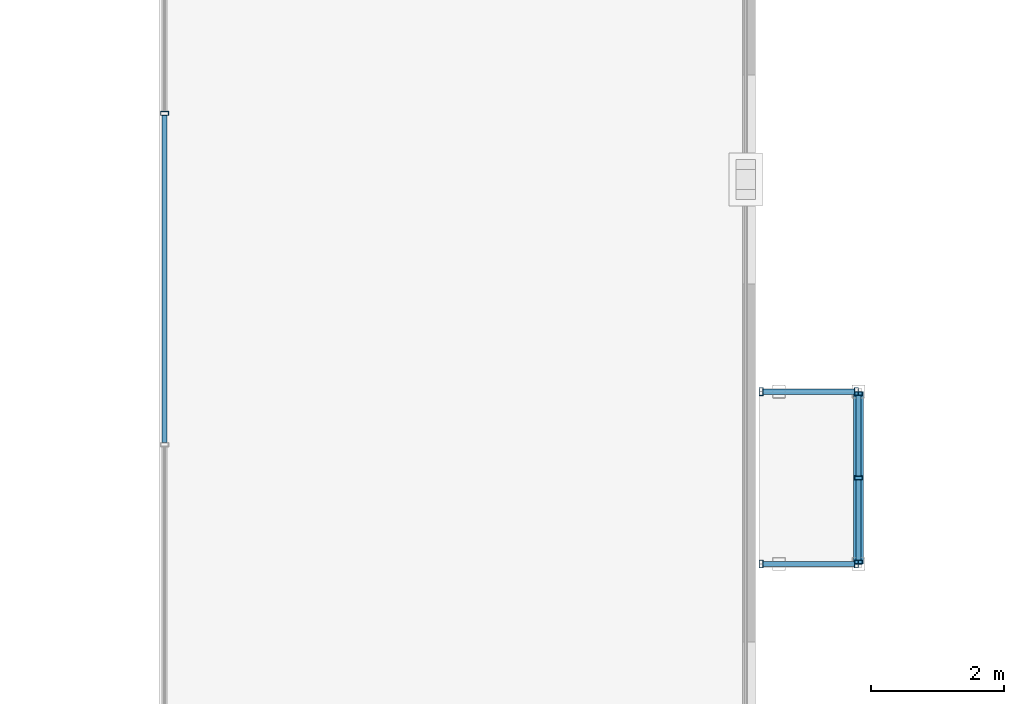
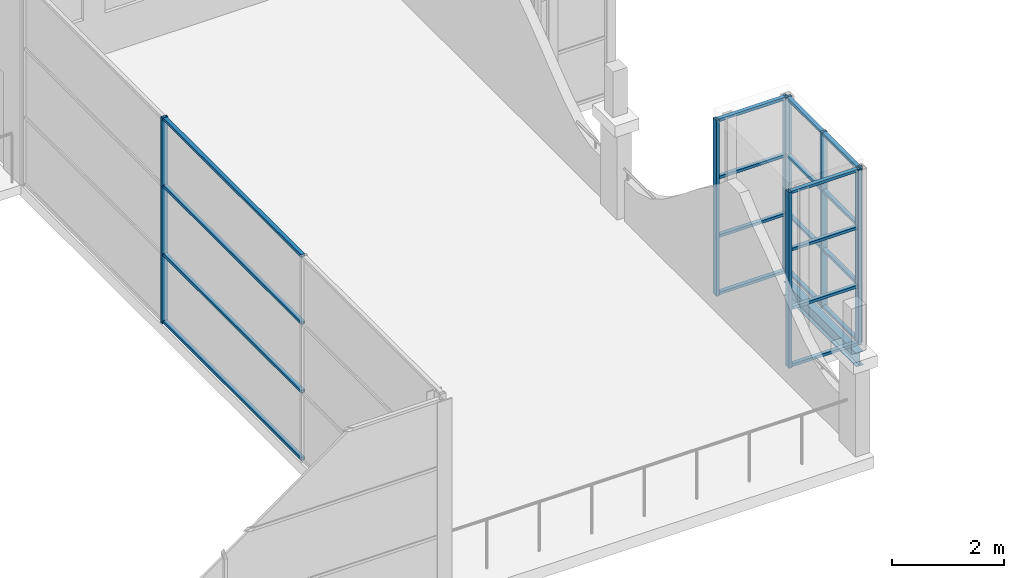
# One storey, part 26 of 111: 28 members, 1 beam, 4 elements without a shape of their own.
"""IFC4 building model written with IfcOpenShell, lengths in metres."""

import ifcopenshell
import ifcopenshell.guid

model = None  # the IFC model being written
_history = None  # IfcOwnerHistory: only IFC2X3 demands one
_inside = {}  # id of a spatial element -> (the spatial element, [elements in it])
_under = {}  # id of a project, library or spatial element -> (it, [spatial elements below it])
_declared = {}  # id of a project -> (the project, [libraries it declares])
_typed = {}  # id of a type object -> (the type object, [elements of that type])
_made_of = {}  # id of a material, layer set ... -> (it, [elements and type objects made of it])


def new_model(schema):
    """Start an empty IFC model of exactly this schema.

    Asked for "IFC4X3", IfcOpenShell would pick the latest addendum, in which some entities
    have other attributes; the version numbers below select the first issue.
    IFC2X3 requires an IfcOwnerHistory on every rooted entity: one is made here for all.
    """
    global model, _history
    if schema == "IFC4X3":
        model = ifcopenshell.file(schema_version=(4, 3, 0, 0))
    else:
        model = ifcopenshell.file(schema=schema)
    _inside.clear()
    _under.clear()
    _declared.clear()
    _typed.clear()
    _made_of.clear()
    _history = None
    if model.schema == "IFC2X3":
        org = make("IfcOrganization", Name="unknown")
        user = make(
            "IfcPersonAndOrganization",
            ThePerson=make("IfcPerson", FamilyName="unknown"),
            TheOrganization=org,
        )
        app = make(
            "IfcApplication",
            ApplicationDeveloper=org,
            Version="unknown",
            ApplicationFullName="unknown",
            ApplicationIdentifier="unknown",
        )
        _history = make(
            "IfcOwnerHistory",
            OwningUser=user,
            OwningApplication=app,
            ChangeAction="ADDED",
            CreationDate=0,
        )
    return model


def make(cls, **values):
    """One entity of the class cls with the attributes given. An attribute that is None is left unset."""
    return model.create_entity(
        cls, **{name: value for name, value in values.items() if value is not None}
    )


def rooted(cls, **values):
    """An entity with a GlobalId (a new one), such as an element, a storey or a relation."""
    return make(cls, GlobalId=ifcopenshell.guid.new(), OwnerHistory=_history, **values)


def si_unit(unit_type, name, prefix=None):
    """IfcSIUnit, for example si_unit("LENGTHUNIT", "METRE", prefix="MILLI")."""
    return make("IfcSIUnit", UnitType=unit_type, Prefix=prefix, Name=name)


def assignment(units):
    """IfcUnitAssignment: the units of a project."""
    return None if units is None else make("IfcUnitAssignment", Units=units)


def point(xyz):
    """IfcCartesianPoint."""
    return None if xyz is None else make("IfcCartesianPoint", Coordinates=xyz)


def direction(xyz):
    """IfcDirection."""
    return None if xyz is None else make("IfcDirection", DirectionRatios=xyz)


def frame(location, z_axis=None, x_axis=None):
    """IfcAxis2Placement3D, a coordinate frame: its origin and axes. An axis left out is left unset."""
    return make(
        "IfcAxis2Placement3D",
        Location=point(location),
        Axis=direction(z_axis),
        RefDirection=direction(x_axis),
    )


def frame_2d(location, x_axis=None):
    """IfcAxis2Placement2D, a coordinate frame in the plane: its origin and x axis."""
    return make(
        "IfcAxis2Placement2D", Location=point(location), RefDirection=direction(x_axis)
    )


def origin():
    """The frame at (0, 0, 0) with its axes left unset."""
    return frame((0.0, 0.0, 0.0))


def origin_2d():
    """The frame at (0, 0) in the plane with its x axis left unset."""
    return frame_2d((0.0, 0.0))


def place(relative_to, where):
    """IfcLocalPlacement: puts the frame where relative to a parent placement (None: the world)."""
    return make(
        "IfcLocalPlacement", PlacementRelTo=relative_to, RelativePlacement=where
    )


def context(
    kind, dimensions, precision=None, world=None, true_north=None, identifier=None
):
    """IfcGeometricRepresentationContext, for example the 3D "Model" context."""
    return make(
        "IfcGeometricRepresentationContext",
        ContextIdentifier=identifier,
        ContextType=kind,
        CoordinateSpaceDimension=dimensions,
        Precision=precision,
        WorldCoordinateSystem=world,
        TrueNorth=true_north,
    )


def subcontext(parent, identifier, kind, view, scale=None):
    """IfcGeometricRepresentationSubContext, for example "Body" below "Model"."""
    return make(
        "IfcGeometricRepresentationSubContext",
        ContextIdentifier=identifier,
        ContextType=kind,
        ParentContext=parent,
        TargetScale=scale,
        TargetView=view,
    )


def project(units=None, contexts=None):
    """IfcProject with its units and contexts."""
    return rooted(
        "IfcProject",
        Name="project",
        RepresentationContexts=contexts,
        UnitsInContext=assignment(units),
    )


def spatial(cls, under=None, at=None, **own):
    """A site, building, storey or space (cls), placed at a placement, below another one or the project."""
    s = rooted(cls, ObjectPlacement=at, **own)
    if under is not None:
        _under.setdefault(under.id(), (under, []))[1].append(s)
    return s


def profile(cls, at=None, kind="AREA", **sizes):
    """A parametric profile (cls). Its sizes go by their IFC names, for example OverallWidth=200.0."""
    return make(cls, ProfileType=kind, Position=at, **sizes)


def hollow_rectangle(**sizes):
    """IfcRectangleHollowProfileDef."""
    return profile("IfcRectangleHollowProfileDef", **sizes)


def i_section(**sizes):
    """IfcIShapeProfileDef."""
    return profile("IfcIShapeProfileDef", **sizes)


def extrude(swept, where, along, depth):
    """IfcExtrudedAreaSolid: the profile swept, set in the frame where, extruded along a direction by depth."""
    return make(
        "IfcExtrudedAreaSolid",
        SweptArea=swept,
        Position=where,
        ExtrudedDirection=direction(along),
        Depth=depth,
    )


def shape(context_of_items, identifier, shape_type, items):
    """IfcShapeRepresentation: the items that make up one representation, for example the "Body"."""
    return make(
        "IfcShapeRepresentation",
        ContextOfItems=context_of_items,
        RepresentationIdentifier=identifier,
        RepresentationType=shape_type,
        Items=items,
    )


def material(Name=None, Category=None):
    """IfcMaterial."""
    return make("IfcMaterial", Name=Name, Category=Category)


def material_profile(
    of_material, cross_section, Name=None, Category=None, Priority=None
):
    """IfcMaterialProfile: a cross section and its material."""
    return make(
        "IfcMaterialProfile",
        Name=Name,
        Material=of_material,
        Profile=cross_section,
        Priority=Priority,
        Category=Category,
    )


def profile_set(profiles, Name=None, composite=None):
    """IfcMaterialProfileSet."""
    return make(
        "IfcMaterialProfileSet",
        Name=Name,
        MaterialProfiles=profiles,
        CompositeProfile=composite,
    )


def made_of(thing, what):
    """Note that an element or type object is made of a material, layer set ...; save() writes the relation."""
    if what is not None:
        _made_of.setdefault(what.id(), (what, []))[1].append(thing)
    return thing


def type_object(cls, material=None, **own):
    """A type object (cls), such as IfcWallType, which elements share."""
    return made_of(rooted(cls, **own), material)


def element(
    cls,
    number,
    at=None,
    inside=None,
    cuts=None,
    type_object=None,
    material=None,
    context=None,
    identifier="Body",
    shape_type=None,
    held_by="IfcProductDefinitionShape",
    body=None,
    shapes=None,
    **own,
):
    """One element of the class cls, such as IfcWall. Its Tag is "e" and its number.

    at: its placement. inside: the storey or other place that contains it. cuts: it is an
    opening in that element (IfcRelVoidsElement). A single representation is given by context,
    identifier, shape_type and body (its items); several are given by shapes. held_by: the class
    of the entity that holds the representations. save() writes the other relations.
    """
    e = rooted(cls, Tag="e%d" % number, ObjectPlacement=at, **own)
    if body is not None:
        shapes = [shape(context, identifier, shape_type, body)]
    if shapes is not None:
        e.Representation = make(held_by, Representations=shapes)
    if inside is not None:
        _inside.setdefault(inside.id(), (inside, []))[1].append(e)
    if cuts is not None:
        rooted(
            "IfcRelVoidsElement", RelatingBuildingElement=cuts, RelatedOpeningElement=e
        )
    if type_object is not None:
        _typed.setdefault(type_object.id(), (type_object, []))[1].append(e)
    return made_of(e, material)


def aggregate(whole, parts):
    """IfcRelAggregates: a whole, such as a stair, and the parts it consists of."""
    return rooted("IfcRelAggregates", RelatingObject=whole, RelatedObjects=parts)


def save(model, path):
    """Write the relations noted so far, then the file.

    IfcRelAggregates (storeys below a building ...), IfcRelContainedInSpatialStructure (elements
    in a storey), IfcRelDefinesByType, IfcRelAssociatesMaterial and IfcRelDeclares: one each for
    every whole, place, type object, material and project.
    """
    for whole, parts in _under.values():
        aggregate(whole, parts)
    for where, things in _inside.values():
        rooted(
            "IfcRelContainedInSpatialStructure",
            RelatedElements=things,
            RelatingStructure=where,
        )
    for kind, things in _typed.values():
        rooted("IfcRelDefinesByType", RelatedObjects=things, RelatingType=kind)
    for what, things in _made_of.values():
        rooted("IfcRelAssociatesMaterial", RelatedObjects=things, RelatingMaterial=what)
    for by, libraries in _declared.values():
        rooted("IfcRelDeclares", RelatingContext=by, RelatedDefinitions=libraries)
    model.write(path)


model = new_model("IFC4")

# Units and contexts
model_context = context("Model", 3, precision=1e-05, world=origin(), true_north=direction((0.0, 1.0)))
body_context = subcontext(model_context, "Body", "Model", "MODEL_VIEW")
ifc_project = project(units=[si_unit("LENGTHUNIT", "METRE"), si_unit("AREAUNIT", "SQUARE_METRE"), si_unit("VOLUMEUNIT", "CUBIC_METRE"), si_unit("PLANEANGLEUNIT", "RADIAN"), si_unit("MASSUNIT", "GRAM", prefix="KILO")], contexts=[model_context])

# Site, building, storey
site_placement = place(None, origin())
site = spatial("IfcSite", under=ifc_project, at=site_placement, CompositionType="ELEMENT")
building_placement = place(site_placement, origin())
building = spatial("IfcBuilding", under=site, at=building_placement, Name="Kallimachos Central Library", CompositionType="ELEMENT")
storey_placement = place(building_placement, frame((0.0, 0.0, 14.39990234375)))
storey = spatial("IfcBuildingStorey", under=building, at=storey_placement, Name="L03", CompositionType="ELEMENT", Elevation=14.39990234375)

# Curtain wall, members
ifc_material_1 = material(Name="Aluminium and laminated glass", Category="aluminium")
curtain_wall_type_1 = type_object("IfcCurtainWallType", Name="Atrium glazed screen", PredefinedType="NOTDEFINED", material=ifc_material_1)
curtain_wall_1_placement = place(storey_placement, origin())
curtain_wall_1 = element("IfcCurtainWall", 1, at=curtain_wall_1_placement, inside=storey, type_object=curtain_wall_type_1, Name="L03 atrium screen E", PredefinedType="NOTDEFINED")
ifc_material_2 = material(Name="Anodised aluminium", Category="aluminium")
ifc_material_profile_1 = material_profile(ifc_material_2, hollow_rectangle(XDim=0.06005859375, YDim=0.1201171875, WallThickness=0.00390625, at=origin_2d()), Name="ALU MULLION 60x120")
ifc_profile_set_1 = profile_set([ifc_material_profile_1], Name="Anodised aluminium")
member_type_1 = type_object("IfcMemberType", Name="Atrium screen mullion", PredefinedType="MULLION", material=ifc_profile_set_1)
member_1_placement = place(storey_placement, frame((101.580078125, 67.0, 0.0), z_axis=(0.0, 0.0, 1.0), x_axis=(0.0, 1.0, 0.0)))
member_1 = element("IfcMember", 2, at=member_1_placement, type_object=member_type_1, Name="CW mullion 3", PredefinedType="MULLION", context=body_context, shape_type="SweptSolid", body=[
    extrude(hollow_rectangle(XDim=0.06005859375, YDim=0.1201171875, WallThickness=0.00390625, at=origin_2d()), origin(), (0.0, 0.0, 1.0), 4.5),
])
ifc_material_3 = material(Name="Anodised aluminium", Category="aluminium")
ifc_material_profile_2 = material_profile(ifc_material_3, hollow_rectangle(XDim=0.06005859375, YDim=0.080078125, WallThickness=0.00390625, at=origin_2d()), Name="ALU TRANSOM 60x80")
ifc_profile_set_2 = profile_set([ifc_material_profile_2], Name="Anodised aluminium")
member_type_2 = type_object("IfcMemberType", Name="Atrium screen transom", PredefinedType="USERDEFINED", material=ifc_profile_set_2)
member_2_placement = place(storey_placement, frame((101.580078125, 62.030029296875, 0.030029296875), z_axis=(0.0, 1.0, 0.0), x_axis=(0.0, 0.0, 1.0)))
member_2 = element("IfcMember", 3, at=member_2_placement, type_object=member_type_2, Name="CW transom 2.1", ObjectType="TRANSOM", PredefinedType="USERDEFINED", context=body_context, shape_type="SweptSolid", body=[
    extrude(hollow_rectangle(XDim=0.06005859375, YDim=0.080078125, WallThickness=0.00390625, at=origin_2d()), origin(), (0.0, 0.0, 1.0), 4.93994140625),
])
member_3_placement = place(storey_placement, frame((101.580078125, 62.030029296875, 1.5), z_axis=(0.0, 1.0, 0.0), x_axis=(0.0, 0.0, 1.0)))
member_3 = element("IfcMember", 4, at=member_3_placement, type_object=member_type_2, Name="CW transom 2.2", ObjectType="TRANSOM", PredefinedType="USERDEFINED", context=body_context, shape_type="SweptSolid", body=[
    extrude(hollow_rectangle(XDim=0.06005859375, YDim=0.080078125, WallThickness=0.00390625, at=origin_2d()), origin(), (0.0, 0.0, 1.0), 4.93994140625),
])
member_4_placement = place(storey_placement, frame((101.580078125, 62.030029296875, 3.0), z_axis=(0.0, 1.0, 0.0), x_axis=(0.0, 0.0, 1.0)))
member_4 = element("IfcMember", 5, at=member_4_placement, type_object=member_type_2, Name="CW transom 2.3", ObjectType="TRANSOM", PredefinedType="USERDEFINED", context=body_context, shape_type="SweptSolid", body=[
    extrude(hollow_rectangle(XDim=0.06005859375, YDim=0.080078125, WallThickness=0.00390625, at=origin_2d()), origin(), (0.0, 0.0, 1.0), 4.93994140625),
])
member_5_placement = place(storey_placement, frame((101.580078125, 62.030029296875, 4.47021484375), z_axis=(0.0, 1.0, 0.0), x_axis=(0.0, 0.0, 1.0)))
member_5 = element("IfcMember", 6, at=member_5_placement, type_object=member_type_2, Name="CW transom 2.4", ObjectType="TRANSOM", PredefinedType="USERDEFINED", context=body_context, shape_type="SweptSolid", body=[
    extrude(hollow_rectangle(XDim=0.06005859375, YDim=0.080078125, WallThickness=0.00390625, at=origin_2d()), origin(), (0.0, 0.0, 1.0), 4.93994140625),
])
aggregate(curtain_wall_1, [member_1, member_2, member_3, member_4, member_5])

# Beam
ifc_material_4 = material(Name="Steel S355J2", Category="steel")
ifc_material_profile_3 = material_profile(ifc_material_4, i_section(OverallWidth=0.14990234375, OverallDepth=0.300048828125, WebThickness=0.007080078125, FlangeThickness=0.0107421875, FilletRadius=0.014892578125, at=origin_2d()), Name="IPE 300")
ifc_profile_set_3 = profile_set([ifc_material_profile_3], Name="Steel S355J2")
beam_type = type_object("IfcBeamType", Name="IPE 300 beam", PredefinedType="BEAM", material=ifc_profile_set_3)
beam_placement = place(storey_placement, frame((112.050048828125, 60.199951171875, -0.349853515625), z_axis=(0.0, 1.0, 0.0), x_axis=(-1.0, 0.0, 0.0)))
element("IfcBeam", 7, at=beam_placement, inside=storey, type_object=beam_type, Name="Tribune bay E1 edge beam L03", PredefinedType="BEAM", context=body_context, shape_type="SweptSolid", body=[
    extrude(i_section(OverallWidth=0.14990234375, OverallDepth=0.300048828125, WebThickness=0.007080078125, FlangeThickness=0.0107421875, FilletRadius=0.014892578125, at=origin_2d()), origin(), (0.0, 0.0, 1.0), 2.60009765625),
])

# Curtain wall, members
ifc_material_5 = material(Name="Aluminium and laminated glass", Category="aluminium")
curtain_wall_type_2 = type_object("IfcCurtainWallType", Name="Tribune bay glazed screen", PredefinedType="NOTDEFINED", material=ifc_material_5)
curtain_wall_2_placement = place(storey_placement, origin())
curtain_wall_2 = element("IfcCurtainWall", 8, at=curtain_wall_2_placement, inside=storey, type_object=curtain_wall_type_2, Name="Tribune bay E1 L03 front", PredefinedType="NOTDEFINED")
ifc_material_6 = material(Name="Anodised aluminium", Category="aluminium")
ifc_material_profile_4 = material_profile(ifc_material_6, hollow_rectangle(XDim=0.06005859375, YDim=0.1201171875, WallThickness=0.00390625, at=origin_2d()), Name="ALU MULLION 60x120")
ifc_profile_set_4 = profile_set([ifc_material_profile_4], Name="Anodised aluminium")
member_type_3 = type_object("IfcMemberType", Name="Tribune bay mullion", PredefinedType="MULLION", material=ifc_profile_set_4)
member_6_placement = place(storey_placement, frame((112.050048828125, 60.22998046875, 0.0), z_axis=(0.0, 0.0, 1.0), x_axis=(0.0, 1.0, 0.0)))
member_6 = element("IfcMember", 9, at=member_6_placement, type_object=member_type_3, Name="CW mullion 1", PredefinedType="MULLION", context=body_context, shape_type="SweptSolid", body=[
    extrude(hollow_rectangle(XDim=0.06005859375, YDim=0.1201171875, WallThickness=0.00390625, at=origin_2d()), origin(), (0.0, 0.0, 1.0), 3.85009765625),
])
member_7_placement = place(storey_placement, frame((112.050048828125, 61.5, 0.0), z_axis=(0.0, 0.0, 1.0), x_axis=(0.0, 1.0, 0.0)))
member_7 = element("IfcMember", 10, at=member_7_placement, type_object=member_type_3, Name="CW mullion 2", PredefinedType="MULLION", context=body_context, shape_type="SweptSolid", body=[
    extrude(hollow_rectangle(XDim=0.06005859375, YDim=0.1201171875, WallThickness=0.00390625, at=origin_2d()), origin(), (0.0, 0.0, 1.0), 3.85009765625),
])
member_8_placement = place(storey_placement, frame((112.050048828125, 62.77001953125, 0.0), z_axis=(0.0, 0.0, 1.0), x_axis=(0.0, 1.0, 0.0)))
member_8 = element("IfcMember", 11, at=member_8_placement, type_object=member_type_3, Name="CW mullion 3", PredefinedType="MULLION", context=body_context, shape_type="SweptSolid", body=[
    extrude(hollow_rectangle(XDim=0.06005859375, YDim=0.1201171875, WallThickness=0.00390625, at=origin_2d()), origin(), (0.0, 0.0, 1.0), 3.85009765625),
])

curtain_wall_3_placement = place(storey_placement, origin())
curtain_wall_3 = element("IfcCurtainWall", 12, at=curtain_wall_3_placement, inside=storey, type_object=curtain_wall_type_2, Name="Tribune bay E1 L03 return 1", PredefinedType="NOTDEFINED")
member_9_placement = place(storey_placement, frame((110.580078125, 60.199951171875, 0.0), z_axis=(0.0, 0.0, 1.0), x_axis=(1.0, 0.0, 0.0)))
member_9 = element("IfcMember", 13, at=member_9_placement, type_object=member_type_3, Name="CW mullion 1", PredefinedType="MULLION", context=body_context, shape_type="SweptSolid", body=[
    extrude(hollow_rectangle(XDim=0.06005859375, YDim=0.1201171875, WallThickness=0.00390625, at=origin_2d()), origin(), (0.0, 0.0, 1.0), 3.85009765625),
])
member_10_placement = place(storey_placement, frame((112.02001953125, 60.199951171875, 0.0), z_axis=(0.0, 0.0, 1.0), x_axis=(1.0, 0.0, 0.0)))
member_10 = element("IfcMember", 14, at=member_10_placement, type_object=member_type_3, Name="CW mullion 2", PredefinedType="MULLION", context=body_context, shape_type="SweptSolid", body=[
    extrude(hollow_rectangle(XDim=0.06005859375, YDim=0.1201171875, WallThickness=0.00390625, at=origin_2d()), origin(), (0.0, 0.0, 1.0), 3.85009765625),
])

curtain_wall_4_placement = place(storey_placement, origin())
curtain_wall_4 = element("IfcCurtainWall", 15, at=curtain_wall_4_placement, inside=storey, type_object=curtain_wall_type_2, Name="Tribune bay E1 L03 return 2", PredefinedType="NOTDEFINED")
member_11_placement = place(storey_placement, frame((110.580078125, 62.800048828125, 0.0), z_axis=(0.0, 0.0, 1.0), x_axis=(1.0, 0.0, 0.0)))
member_11 = element("IfcMember", 16, at=member_11_placement, type_object=member_type_3, Name="CW mullion 1", PredefinedType="MULLION", context=body_context, shape_type="SweptSolid", body=[
    extrude(hollow_rectangle(XDim=0.06005859375, YDim=0.1201171875, WallThickness=0.00390625, at=origin_2d()), origin(), (0.0, 0.0, 1.0), 3.85009765625),
])
member_12_placement = place(storey_placement, frame((112.02001953125, 62.800048828125, 0.0), z_axis=(0.0, 0.0, 1.0), x_axis=(1.0, 0.0, 0.0)))
member_12 = element("IfcMember", 17, at=member_12_placement, type_object=member_type_3, Name="CW mullion 2", PredefinedType="MULLION", context=body_context, shape_type="SweptSolid", body=[
    extrude(hollow_rectangle(XDim=0.06005859375, YDim=0.1201171875, WallThickness=0.00390625, at=origin_2d()), origin(), (0.0, 0.0, 1.0), 3.85009765625),
])

# Member
ifc_material_7 = material(Name="Anodised aluminium", Category="aluminium")
ifc_material_profile_5 = material_profile(ifc_material_7, hollow_rectangle(XDim=0.06005859375, YDim=0.080078125, WallThickness=0.00390625, at=origin_2d()), Name="ALU TRANSOM 60x80")
ifc_profile_set_5 = profile_set([ifc_material_profile_5], Name="Anodised aluminium")
member_type_4 = type_object("IfcMemberType", Name="Tribune bay transom", PredefinedType="USERDEFINED", material=ifc_profile_set_5)
member_13_placement = place(storey_placement, frame((112.050048828125, 60.260009765625, 0.030029296875), z_axis=(0.0, 1.0, 0.0), x_axis=(0.0, 0.0, 1.0)))
member_13 = element("IfcMember", 18, at=member_13_placement, type_object=member_type_4, Name="CW transom 1.1", ObjectType="TRANSOM", PredefinedType="USERDEFINED", context=body_context, shape_type="SweptSolid", body=[
    extrude(hollow_rectangle(XDim=0.06005859375, YDim=0.080078125, WallThickness=0.00390625, at=origin_2d()), origin(), (0.0, 0.0, 1.0), 1.2099609375),
])

member_14_placement = place(storey_placement, frame((112.050048828125, 60.260009765625, 1.283447265625), z_axis=(0.0, 1.0, 0.0), x_axis=(0.0, 0.0, 1.0)))
member_14 = element("IfcMember", 19, at=member_14_placement, type_object=member_type_4, Name="CW transom 1.2", ObjectType="TRANSOM", PredefinedType="USERDEFINED", context=body_context, shape_type="SweptSolid", body=[
    extrude(hollow_rectangle(XDim=0.06005859375, YDim=0.080078125, WallThickness=0.00390625, at=origin_2d()), origin(), (0.0, 0.0, 1.0), 1.2099609375),
])

member_15_placement = place(storey_placement, frame((112.050048828125, 60.260009765625, 2.566650390625), z_axis=(0.0, 1.0, 0.0), x_axis=(0.0, 0.0, 1.0)))
member_15 = element("IfcMember", 20, at=member_15_placement, type_object=member_type_4, Name="CW transom 1.3", ObjectType="TRANSOM", PredefinedType="USERDEFINED", context=body_context, shape_type="SweptSolid", body=[
    extrude(hollow_rectangle(XDim=0.06005859375, YDim=0.080078125, WallThickness=0.00390625, at=origin_2d()), origin(), (0.0, 0.0, 1.0), 1.2099609375),
])

member_16_placement = place(storey_placement, frame((112.050048828125, 60.260009765625, 3.820068359375), z_axis=(0.0, 1.0, 0.0), x_axis=(0.0, 0.0, 1.0)))
member_16 = element("IfcMember", 21, at=member_16_placement, type_object=member_type_4, Name="CW transom 1.4", ObjectType="TRANSOM", PredefinedType="USERDEFINED", context=body_context, shape_type="SweptSolid", body=[
    extrude(hollow_rectangle(XDim=0.06005859375, YDim=0.080078125, WallThickness=0.00390625, at=origin_2d()), origin(), (0.0, 0.0, 1.0), 1.2099609375),
])

member_17_placement = place(storey_placement, frame((112.050048828125, 61.530029296875, 0.030029296875), z_axis=(0.0, 1.0, 0.0), x_axis=(0.0, 0.0, 1.0)))
member_17 = element("IfcMember", 22, at=member_17_placement, type_object=member_type_4, Name="CW transom 2.1", ObjectType="TRANSOM", PredefinedType="USERDEFINED", context=body_context, shape_type="SweptSolid", body=[
    extrude(hollow_rectangle(XDim=0.06005859375, YDim=0.080078125, WallThickness=0.00390625, at=origin_2d()), origin(), (0.0, 0.0, 1.0), 1.2099609375),
])

member_18_placement = place(storey_placement, frame((112.050048828125, 61.530029296875, 1.283447265625), z_axis=(0.0, 1.0, 0.0), x_axis=(0.0, 0.0, 1.0)))
member_18 = element("IfcMember", 23, at=member_18_placement, type_object=member_type_4, Name="CW transom 2.2", ObjectType="TRANSOM", PredefinedType="USERDEFINED", context=body_context, shape_type="SweptSolid", body=[
    extrude(hollow_rectangle(XDim=0.06005859375, YDim=0.080078125, WallThickness=0.00390625, at=origin_2d()), origin(), (0.0, 0.0, 1.0), 1.2099609375),
])

member_19_placement = place(storey_placement, frame((112.050048828125, 61.530029296875, 2.566650390625), z_axis=(0.0, 1.0, 0.0), x_axis=(0.0, 0.0, 1.0)))
member_19 = element("IfcMember", 24, at=member_19_placement, type_object=member_type_4, Name="CW transom 2.3", ObjectType="TRANSOM", PredefinedType="USERDEFINED", context=body_context, shape_type="SweptSolid", body=[
    extrude(hollow_rectangle(XDim=0.06005859375, YDim=0.080078125, WallThickness=0.00390625, at=origin_2d()), origin(), (0.0, 0.0, 1.0), 1.2099609375),
])

member_20_placement = place(storey_placement, frame((112.050048828125, 61.530029296875, 3.820068359375), z_axis=(0.0, 1.0, 0.0), x_axis=(0.0, 0.0, 1.0)))
member_20 = element("IfcMember", 25, at=member_20_placement, type_object=member_type_4, Name="CW transom 2.4", ObjectType="TRANSOM", PredefinedType="USERDEFINED", context=body_context, shape_type="SweptSolid", body=[
    extrude(hollow_rectangle(XDim=0.06005859375, YDim=0.080078125, WallThickness=0.00390625, at=origin_2d()), origin(), (0.0, 0.0, 1.0), 1.2099609375),
])

aggregate(curtain_wall_2, [member_6, member_7, member_8, member_13, member_14, member_15, member_16, member_17, member_18, member_19, member_20])

member_21_placement = place(storey_placement, frame((110.610107421875, 60.199951171875, 0.030029296875), z_axis=(1.0, 0.0, 0.0), x_axis=(0.0, 0.0, 1.0)))
member_21 = element("IfcMember", 26, at=member_21_placement, type_object=member_type_4, Name="CW transom 1.1", ObjectType="TRANSOM", PredefinedType="USERDEFINED", context=body_context, shape_type="SweptSolid", body=[
    extrude(hollow_rectangle(XDim=0.06005859375, YDim=0.080078125, WallThickness=0.00390625, at=origin_2d()), origin(), (0.0, 0.0, 1.0), 1.3798828125),
])

member_22_placement = place(storey_placement, frame((110.610107421875, 60.199951171875, 1.283447265625), z_axis=(1.0, 0.0, 0.0), x_axis=(0.0, 0.0, 1.0)))
member_22 = element("IfcMember", 27, at=member_22_placement, type_object=member_type_4, Name="CW transom 1.2", ObjectType="TRANSOM", PredefinedType="USERDEFINED", context=body_context, shape_type="SweptSolid", body=[
    extrude(hollow_rectangle(XDim=0.06005859375, YDim=0.080078125, WallThickness=0.00390625, at=origin_2d()), origin(), (0.0, 0.0, 1.0), 1.3798828125),
])

member_23_placement = place(storey_placement, frame((110.610107421875, 60.199951171875, 2.566650390625), z_axis=(1.0, 0.0, 0.0), x_axis=(0.0, 0.0, 1.0)))
member_23 = element("IfcMember", 28, at=member_23_placement, type_object=member_type_4, Name="CW transom 1.3", ObjectType="TRANSOM", PredefinedType="USERDEFINED", context=body_context, shape_type="SweptSolid", body=[
    extrude(hollow_rectangle(XDim=0.06005859375, YDim=0.080078125, WallThickness=0.00390625, at=origin_2d()), origin(), (0.0, 0.0, 1.0), 1.3798828125),
])

member_24_placement = place(storey_placement, frame((110.610107421875, 60.199951171875, 3.820068359375), z_axis=(1.0, 0.0, 0.0), x_axis=(0.0, 0.0, 1.0)))
member_24 = element("IfcMember", 29, at=member_24_placement, type_object=member_type_4, Name="CW transom 1.4", ObjectType="TRANSOM", PredefinedType="USERDEFINED", context=body_context, shape_type="SweptSolid", body=[
    extrude(hollow_rectangle(XDim=0.06005859375, YDim=0.080078125, WallThickness=0.00390625, at=origin_2d()), origin(), (0.0, 0.0, 1.0), 1.3798828125),
])

aggregate(curtain_wall_3, [member_9, member_10, member_21, member_22, member_23, member_24])

member_25_placement = place(storey_placement, frame((110.610107421875, 62.800048828125, 0.030029296875), z_axis=(1.0, 0.0, 0.0), x_axis=(0.0, 0.0, 1.0)))
member_25 = element("IfcMember", 30, at=member_25_placement, type_object=member_type_4, Name="CW transom 1.1", ObjectType="TRANSOM", PredefinedType="USERDEFINED", context=body_context, shape_type="SweptSolid", body=[
    extrude(hollow_rectangle(XDim=0.06005859375, YDim=0.080078125, WallThickness=0.00390625, at=origin_2d()), origin(), (0.0, 0.0, 1.0), 1.3798828125),
])

member_26_placement = place(storey_placement, frame((110.610107421875, 62.800048828125, 1.283447265625), z_axis=(1.0, 0.0, 0.0), x_axis=(0.0, 0.0, 1.0)))
member_26 = element("IfcMember", 31, at=member_26_placement, type_object=member_type_4, Name="CW transom 1.2", ObjectType="TRANSOM", PredefinedType="USERDEFINED", context=body_context, shape_type="SweptSolid", body=[
    extrude(hollow_rectangle(XDim=0.06005859375, YDim=0.080078125, WallThickness=0.00390625, at=origin_2d()), origin(), (0.0, 0.0, 1.0), 1.3798828125),
])

member_27_placement = place(storey_placement, frame((110.610107421875, 62.800048828125, 2.566650390625), z_axis=(1.0, 0.0, 0.0), x_axis=(0.0, 0.0, 1.0)))
member_27 = element("IfcMember", 32, at=member_27_placement, type_object=member_type_4, Name="CW transom 1.3", ObjectType="TRANSOM", PredefinedType="USERDEFINED", context=body_context, shape_type="SweptSolid", body=[
    extrude(hollow_rectangle(XDim=0.06005859375, YDim=0.080078125, WallThickness=0.00390625, at=origin_2d()), origin(), (0.0, 0.0, 1.0), 1.3798828125),
])

member_28_placement = place(storey_placement, frame((110.610107421875, 62.800048828125, 3.820068359375), z_axis=(1.0, 0.0, 0.0), x_axis=(0.0, 0.0, 1.0)))
member_28 = element("IfcMember", 33, at=member_28_placement, type_object=member_type_4, Name="CW transom 1.4", ObjectType="TRANSOM", PredefinedType="USERDEFINED", context=body_context, shape_type="SweptSolid", body=[
    extrude(hollow_rectangle(XDim=0.06005859375, YDim=0.080078125, WallThickness=0.00390625, at=origin_2d()), origin(), (0.0, 0.0, 1.0), 1.3798828125),
])

aggregate(curtain_wall_4, [member_11, member_12, member_25, member_26, member_27, member_28])

save(model, "model.ifc")
